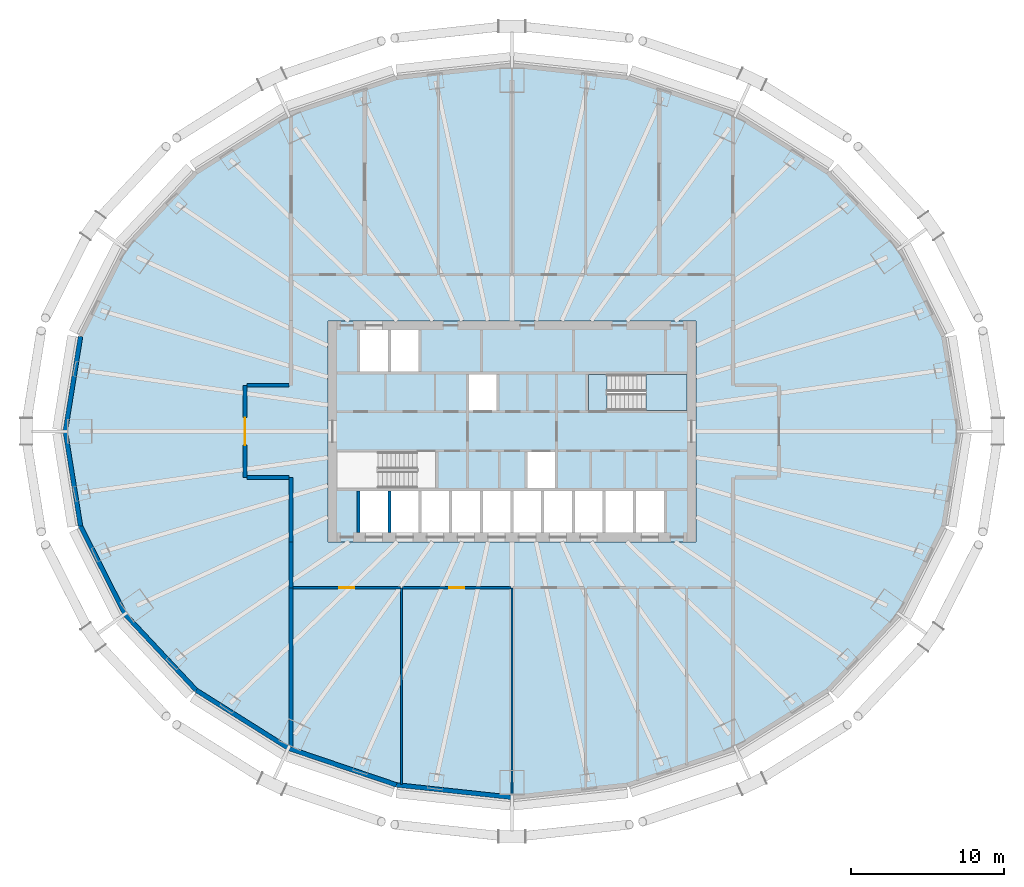
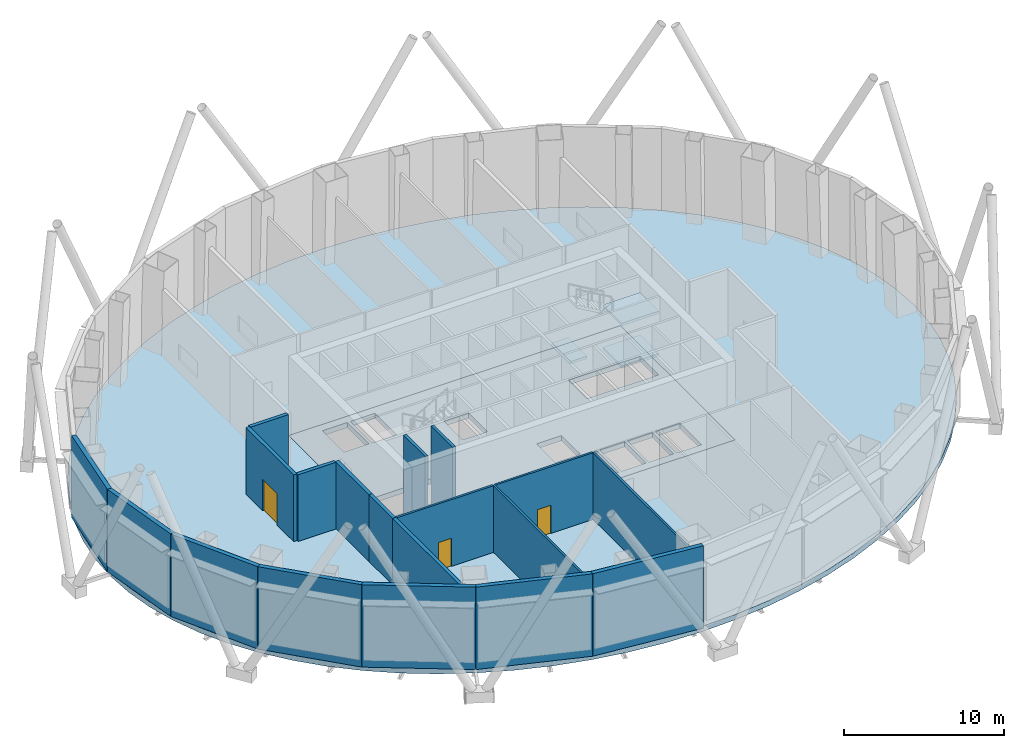
# One storey, part 3 of 13: 19 walls, 5 slabs, 3 doors, 3 openings, 1 element without a shape of its own.
"""IFC4 building model written with IfcOpenShell, lengths in metres."""

from ifc_helpers import new_model, si_unit, direction, frame, frame_2d, origin, place, context, subcontext, project, spatial, polyline, rectangle, outline, extrude, material, layer, layer_set, type_object, element, fill, aggregate, save


model = new_model("IFC4")

# Units and contexts
model_context = context("Model", 3, precision=1e-05, world=origin(), true_north=direction((0.0, 1.0)))
body_context = subcontext(model_context, "Body", "Model", "MODEL_VIEW")
ifc_project = project(units=[si_unit("LENGTHUNIT", "METRE"), si_unit("AREAUNIT", "SQUARE_METRE"), si_unit("VOLUMEUNIT", "CUBIC_METRE"), si_unit("PLANEANGLEUNIT", "RADIAN"), si_unit("MASSUNIT", "GRAM", prefix="KILO")], contexts=[model_context])

# Site, building, storey
site_placement = place(None, origin())
site = spatial("IfcSite", under=ifc_project, at=site_placement, CompositionType="ELEMENT")
building_placement = place(site_placement, origin())
building = spatial("IfcBuilding", under=site, at=building_placement, Name="Siaravel Broadcast Tower", CompositionType="ELEMENT")
storey_placement = place(building_placement, frame((0.0, 0.0, 7.0)))
storey = spatial("IfcBuildingStorey", under=building, at=storey_placement, Name="L01", CompositionType="ELEMENT", Elevation=7.0)

# Slabs
ifc_material_1 = material(Name="Concrete C40/50", Category="concrete")
ifc_layer_1 = layer(ifc_material_1, 0.39990234375)
ifc_layer_set_1 = layer_set([ifc_layer_1], Name="Concrete C40/50")
slab_type_1 = type_object("IfcSlabType", Name="Core floor slab 400", PredefinedType="FLOOR", material=ifc_layer_set_1)
slab_1_placement = place(storey_placement, frame((0.0, 0.0, -0.39990234375)))
element("IfcSlab", 1, at=slab_1_placement, inside=storey, type_object=slab_type_1, Name="L01 core floor", PredefinedType="FLOOR", context=body_context, shape_type="SweptSolid", body=[
    extrude(outline(polyline([(-12.0, -7.199951171875), (-12.0, 7.199951171875), (12.0, 7.199951171875), (12.0, -7.199951171875), (-12.0, -7.199951171875)]), holes=[polyline([(11.3994140625, 1.3505859375), (11.3994140625, 3.699462890625), (6.200439453125, 3.699462890625), (6.200439453125, 1.3505859375), (11.3994140625, 1.3505859375)]), polyline([(9.89990234375, -3.89990234375), (8.10009765625, -3.89990234375), (8.10009765625, -6.60009765625), (9.89990234375, -6.60009765625), (9.89990234375, -3.89990234375)]), polyline([(7.89990234375, -3.89990234375), (6.10009765625, -3.89990234375), (6.10009765625, -6.60009765625), (7.89990234375, -6.60009765625), (7.89990234375, -3.89990234375)]), polyline([(5.89990234375, -3.89990234375), (4.10009765625, -3.89990234375), (4.10009765625, -6.60009765625), (5.89990234375, -6.60009765625), (5.89990234375, -3.89990234375)]), polyline([(3.89990234375, -3.89990234375), (2.10009765625, -3.89990234375), (2.10009765625, -6.60009765625), (3.89990234375, -6.60009765625), (3.89990234375, -3.89990234375)]), polyline([(2.800048828125, -1.35009765625), (1.0, -1.35009765625), (1.0, -3.699951171875), (2.800048828125, -3.699951171875), (2.800048828125, -1.35009765625)]), polyline([(1.89990234375, -3.89990234375), (0.10009765625, -3.89990234375), (0.10009765625, -6.60009765625), (1.89990234375, -6.60009765625), (1.89990234375, -3.89990234375)]), polyline([(-0.10009765625, -3.89990234375), (-1.89990234375, -3.89990234375), (-1.89990234375, -6.60009765625), (-0.10009765625, -6.60009765625), (-0.10009765625, -3.89990234375)]), polyline([(-1.0, 3.699951171875), (-2.800048828125, 3.699951171875), (-2.800048828125, 1.35009765625), (-1.0, 1.35009765625), (-1.0, 3.699951171875)]), polyline([(-2.10009765625, -3.89990234375), (-3.89990234375, -3.89990234375), (-3.89990234375, -6.60009765625), (-2.10009765625, -6.60009765625), (-2.10009765625, -3.89990234375)]), polyline([(-4.10009765625, -3.89990234375), (-5.89990234375, -3.89990234375), (-5.89990234375, -6.60009765625), (-4.10009765625, -6.60009765625), (-4.10009765625, -3.89990234375)]), polyline([(-6.10009765625, -3.89990234375), (-7.89990234375, -3.89990234375), (-7.89990234375, -6.60009765625), (-6.10009765625, -6.60009765625), (-6.10009765625, -3.89990234375)]), polyline([(-6.10009765625, 6.60009765625), (-7.89990234375, 6.60009765625), (-7.89990234375, 3.89990234375), (-6.10009765625, 3.89990234375), (-6.10009765625, 6.60009765625)]), polyline([(-11.3994140625, -1.3505859375), (-11.3994140625, -3.699462890625), (-6.200439453125, -3.699462890625), (-6.200439453125, -1.3505859375), (-11.3994140625, -1.3505859375)]), polyline([(-8.10009765625, -3.89990234375), (-9.89990234375, -3.89990234375), (-9.89990234375, -6.60009765625), (-8.10009765625, -6.60009765625), (-8.10009765625, -3.89990234375)]), polyline([(-8.10009765625, 6.60009765625), (-9.89990234375, 6.60009765625), (-9.89990234375, 3.89990234375), (-8.10009765625, 3.89990234375), (-8.10009765625, 6.60009765625)])]), origin(), (0.0, 0.0, 1.0), 0.39990234375),
])
ifc_layer_2 = layer(ifc_material_1, 0.39990234375)
ifc_layer_set_2 = layer_set([ifc_layer_2], Name="Concrete C40/50")
slab_type_2 = type_object("IfcSlabType", Name="SLB-FLOOR-400", PredefinedType="FLOOR", material=ifc_layer_set_2)
slab_2_placement = place(storey_placement, frame((0.0, 0.0, -0.39990234375)))
element("IfcSlab", 2, at=slab_2_placement, inside=storey, type_object=slab_type_2, Name="Floor slab", PredefinedType="FLOOR", context=body_context, shape_type="SweptSolid", body=[
    extrude(outline(polyline([(29.074951171875, 0.0), (28.96435546875, 2.07568359375), (28.63330078125, 4.135498046875), (28.084228515625, 6.1640625), (27.321533203125, 8.1455078125), (26.350830078125, 10.06494140625), (25.1796875, 11.90771484375), (23.81689453125, 13.66015625), (22.272705078125, 15.308349609375), (20.55908203125, 16.840087890625), (18.68896484375, 18.243896484375), (16.6767578125, 19.5087890625), (14.53759765625, 20.625), (12.28759765625, 21.58447265625), (9.944091796875, 22.37939453125), (7.525146484375, 23.004150390625), (5.048828125, 23.453857421875), (2.5341796875, 23.72509765625), (0.0, 23.815673828125), (-2.5341796875, 23.72509765625), (-5.048828125, 23.453857421875), (-7.525146484375, 23.004150390625), (-9.944091796875, 22.37939453125), (-12.28759765625, 21.58447265625), (-14.53759765625, 20.625), (-16.6767578125, 19.5087890625), (-18.68896484375, 18.243896484375), (-20.55908203125, 16.840087890625), (-22.272705078125, 15.308349609375), (-23.81689453125, 13.66015625), (-25.1796875, 11.90771484375), (-26.350830078125, 10.06494140625), (-27.321533203125, 8.1455078125), (-28.084228515625, 6.1640625), (-28.63330078125, 4.135498046875), (-28.96435546875, 2.07568359375), (-29.074951171875, 0.0), (-28.96435546875, -2.07568359375), (-28.63330078125, -4.135498046875), (-28.084228515625, -6.1640625), (-27.321533203125, -8.1455078125), (-26.350830078125, -10.06494140625), (-25.1796875, -11.907958984375), (-23.81689453125, -13.66015625), (-22.272705078125, -15.308349609375), (-20.55908203125, -16.840087890625), (-18.68896484375, -18.243896484375), (-16.6767578125, -19.5087890625), (-14.53759765625, -20.625), (-12.28759765625, -21.58447265625), (-9.944091796875, -22.37939453125), (-7.525146484375, -23.004150390625), (-5.048828125, -23.453857421875), (-2.5341796875, -23.72509765625), (0.0, -23.815673828125), (2.5341796875, -23.72509765625), (5.048828125, -23.453857421875), (7.525146484375, -23.004150390625), (9.944091796875, -22.37939453125), (12.28759765625, -21.58447265625), (14.53759765625, -20.625), (16.6767578125, -19.5087890625), (18.68896484375, -18.243896484375), (20.55908203125, -16.840087890625), (22.272705078125, -15.308349609375), (23.81689453125, -13.66015625), (25.1796875, -11.907958984375), (26.350830078125, -10.06494140625), (27.321533203125, -8.1455078125), (28.084228515625, -6.1640625), (28.63330078125, -4.135498046875), (28.96435546875, -2.07568359375), (29.074951171875, 0.0)]), holes=[polyline([(-12.0, 7.199951171875), (12.0, 7.199951171875), (12.0, -7.199951171875), (-12.0, -7.199951171875), (-12.0, 7.199951171875)])]), origin(), (0.0, 0.0, 1.0), 0.39990234375),
])

# Stair, slabs
stair_type = type_object("IfcStairType", Name="Core exit stair", PredefinedType="HALF_TURN_STAIR", material=ifc_material_1)
stair_placement = place(storey_placement, origin())
stair = element("IfcStair", 3, at=stair_placement, inside=storey, type_object=stair_type, Name="L01 Exit stair ST-2", PredefinedType="HALF_TURN_STAIR")
ifc_layer_3 = layer(ifc_material_1, 0.199951171875)
ifc_layer_set_3 = layer_set([ifc_layer_3], Name="Concrete C40/50")
slab_type_3 = type_object("IfcSlabType", Name="Stair landing", PredefinedType="LANDING", material=ifc_layer_set_3)
slab_3_placement = place(storey_placement, frame((0.0, 0.0, 1.425048828125)))
slab_3 = element("IfcSlab", 4, at=slab_3_placement, type_object=slab_type_3, Name="ST-2 landing 1", PredefinedType="LANDING", context=body_context, shape_type="SweptSolid", body=[
    extrude(outline(polyline([(8.719970703125, 1.35009765625), (11.39990234375, 1.35009765625), (11.39990234375, 3.699951171875), (8.719970703125, 3.699951171875), (8.719970703125, 1.35009765625)])), origin(), (0.0, 0.0, 1.0), 0.199951171875),
])
slab_4_placement = place(storey_placement, frame((0.0, 0.0, 3.050048828125)))
slab_4 = element("IfcSlab", 5, at=slab_4_placement, type_object=slab_type_3, Name="ST-2 landing 2", PredefinedType="LANDING", context=body_context, shape_type="SweptSolid", body=[
    extrude(outline(polyline([(5.0, 1.35009765625), (6.199951171875, 1.35009765625), (6.199951171875, 3.699951171875), (5.0, 3.699951171875), (5.0, 1.35009765625)])), origin(), (0.0, 0.0, 1.0), 0.199951171875),
])
slab_5_placement = place(storey_placement, frame((0.0, 0.0, 4.675048828125)))
slab_5 = element("IfcSlab", 6, at=slab_5_placement, type_object=slab_type_3, Name="ST-2 landing 3", PredefinedType="LANDING", context=body_context, shape_type="SweptSolid", body=[
    extrude(outline(polyline([(8.719970703125, 1.35009765625), (11.39990234375, 1.35009765625), (11.39990234375, 3.699951171875), (8.719970703125, 3.699951171875), (8.719970703125, 1.35009765625)])), origin(), (0.0, 0.0, 1.0), 0.199951171875),
])
aggregate(stair, [slab_3, slab_4, slab_5])

# Walls
ifc_layer_4 = layer(ifc_material_1, 0.300048828125)
ifc_layer_set_4 = layer_set([ifc_layer_4], Name="Concrete C40/50")
wall_type_1 = type_object("IfcWallType", Name="Acoustic studio wall", PredefinedType="STANDARD", material=ifc_layer_set_4)
for number, where, z_axis, x_axis, name in (
    (7, (-28.1318359375, 6.179443359375, 0.0), (0.0, 0.0, 1.0), (-0.158684207, -0.987329389, 0.0), "L01 studio acoustic wall 12"),
    (8, (-29.125, 0.0, 0.0), (0.0, 0.0, 1.0), (0.158684207, -0.987329389, 0.0), "L01 studio acoustic wall 13"),
):
    element("IfcWall", number, at=place(storey_placement, frame(where, z_axis=z_axis, x_axis=x_axis)), inside=storey, type_object=wall_type_1, Name=name, PredefinedType="STANDARD", context=body_context, shape_type="SweptSolid", body=[
        extrude(rectangle(XDim=6.2587890625, YDim=0.300048828125, at=frame_2d((3.12939453125, 0.0))), origin(), (0.0, 0.0, 1.0), 6.300048828125),
    ])
wall_1_placement = place(storey_placement, frame((-28.1318359375, -6.179443359375, 0.0), z_axis=(0.0, 0.0, 1.0), x_axis=(0.45123552, -0.8924049, 0.0)))
element("IfcWall", 9, at=wall_1_placement, inside=storey, type_object=wall_type_1, Name="L01 studio acoustic wall 14", PredefinedType="STANDARD", context=body_context, shape_type="SweptSolid", body=[
    extrude(rectangle(XDim=6.451416015625, YDim=0.300048828125, at=frame_2d((3.2255859375, 0.0))), origin(), (0.0, 0.0, 1.0), 6.300048828125),
])
wall_2_placement = place(storey_placement, frame((-25.220703125, -11.936767578125, 0.0), z_axis=(0.0, 0.0, 1.0), x_axis=(0.683676058, -0.729785617, 0.0)))
element("IfcWall", 10, at=wall_2_placement, inside=storey, type_object=wall_type_1, Name="L01 studio acoustic wall 15", PredefinedType="STANDARD", context=body_context, shape_type="SweptSolid", body=[
    extrude(rectangle(XDim=6.77197265625, YDim=0.300048828125, at=frame_2d((3.385986328125, 0.0))), origin(), (0.0, 0.0, 1.0), 6.300048828125),
])
wall_3_placement = place(storey_placement, frame((-20.5908203125, -16.87890625, 0.0), z_axis=(0.0, 0.0, 1.0), x_axis=(0.846653753, -0.532144175, 0.0)))
element("IfcWall", 11, at=wall_3_placement, inside=storey, type_object=wall_type_1, Name="L01 studio acoustic wall 16", PredefinedType="STANDARD", context=body_context, shape_type="SweptSolid", body=[
    extrude(rectangle(XDim=7.12451171875, YDim=0.300048828125, at=frame_2d((3.562255859375, 0.0))), origin(), (0.0, 0.0, 1.0), 6.300048828125),
])
wall_4_placement = place(storey_placement, frame((-14.558837890625, -20.670166015625, 0.0), z_axis=(0.0, 0.0, 1.0), x_axis=(0.946977627, -0.321299508, 0.0)))
element("IfcWall", 12, at=wall_4_placement, inside=storey, type_object=wall_type_1, Name="L01 studio acoustic wall 17", PredefinedType="STANDARD", context=body_context, shape_type="SweptSolid", body=[
    extrude(rectangle(XDim=7.416259765625, YDim=0.300048828125, at=frame_2d((3.7080078125, 0.0))), origin(), (0.0, 0.0, 1.0), 6.300048828125),
])
wall_5_placement = place(storey_placement, frame((-7.535888671875, -23.052978515625, 0.0), z_axis=(0.0, 0.0, 1.0), x_axis=(0.994234458, -0.107227995, 0.0)))
element("IfcWall", 13, at=wall_5_placement, inside=storey, type_object=wall_type_1, Name="L01 studio acoustic wall 18", PredefinedType="STANDARD", context=body_context, shape_type="SweptSolid", body=[
    extrude(rectangle(XDim=7.57958984375, YDim=0.300048828125, at=frame_2d((3.789794921875, 0.0))), origin(), (0.0, 0.0, 1.0), 6.300048828125),
])

# Wall, opening, door
ifc_material_2 = material(Name="Gypsum board partition", Category="gypsum")
ifc_layer_5 = layer(ifc_material_2, 0.14990234375)
ifc_layer_set_5 = layer_set([ifc_layer_5], Name="Gypsum board partition")
wall_type_2 = type_object("IfcWallType", Name="Corridor wall 150", PredefinedType="PARTITIONING", material=ifc_layer_set_5)
wall_6_placement = place(storey_placement, frame((-14.27294921875, -10.199951171875, 0.0), z_axis=(0.0, 0.0, 1.0), x_axis=(1.0, 0.0, 0.0)))
wall_6 = element("IfcWall", 14, at=wall_6_placement, inside=storey, type_object=wall_type_2, Name="L01 partition 15", PredefinedType="PARTITIONING", context=body_context, shape_type="SweptSolid", body=[
    extrude(rectangle(XDim=6.995849609375, YDim=0.14990234375, at=frame_2d((3.498046875, 0.0))), origin(), (0.0, 0.0, 1.0), 5.10009765625),
])
opening_1_placement = place(wall_6_placement, frame((3.02294921875, 0.0, 0.0)))
opening_1 = element("IfcOpeningElement", 15, at=opening_1_placement, cuts=wall_6, Name="Opening L01-007", PredefinedType="OPENING", context=body_context, shape_type="SweptSolid", body=[
    extrude(rectangle(XDim=0.949951171875, YDim=2.14990234375, at=frame_2d((0.47509765625, 1.074951171875))), frame((0.0, 0.0849609375, 0.0), z_axis=(0.0, -1.0, 0.0), x_axis=(1.0, 0.0, 0.0)), (0.0, 0.0, 1.0), 0.169921875),
])
ifc_material_3 = material(Name="Timber veneer", Category="wood")
door_type_1 = type_object("IfcDoorType", Name="Office door 950", OperationType="SINGLE_SWING_LEFT", PredefinedType="DOOR", material=ifc_material_3)
door_1_placement = place(opening_1_placement, origin())
door_1 = element("IfcDoor", 16, at=door_1_placement, inside=storey, type_object=door_type_1, Name="L01 door to Scenery workshop", OperationType="SINGLE_SWING_LEFT", OverallHeight=2.14990234375, OverallWidth=0.949951171875, PredefinedType="DOOR", context=body_context, shape_type="SweptSolid", body=[
    extrude(rectangle(XDim=0.949951171875, YDim=2.14990234375, at=frame_2d((0.47509765625, 1.074951171875))), frame((0.0, 0.02490234375, 0.0), z_axis=(0.0, -1.0, 0.0), x_axis=(1.0, 0.0, 0.0)), (0.0, 0.0, 1.0), 0.050048828125),
])
fill(opening_1, door_1)

wall_7_placement = place(storey_placement, frame((-7.123046875, -10.199951171875, 0.0), z_axis=(0.0, 0.0, 1.0), x_axis=(1.0, 0.0, 0.0)))
wall_7 = element("IfcWall", 17, at=wall_7_placement, inside=storey, type_object=wall_type_2, Name="L01 partition 16", PredefinedType="PARTITIONING", context=body_context, shape_type="SweptSolid", body=[
    extrude(rectangle(XDim=7.046142578125, YDim=0.14990234375, at=frame_2d((3.52294921875, 0.0))), origin(), (0.0, 0.0, 1.0), 5.10009765625),
])
opening_2_placement = place(wall_7_placement, frame((3.048095703125, 0.0, 0.0)))
opening_2 = element("IfcOpeningElement", 18, at=opening_2_placement, cuts=wall_7, Name="Opening L01-008", PredefinedType="OPENING", context=body_context, shape_type="SweptSolid", body=[
    extrude(rectangle(XDim=0.949951171875, YDim=2.14990234375, at=frame_2d((0.47509765625, 1.074951171875))), frame((0.0, 0.0849609375, 0.0), z_axis=(0.0, -1.0, 0.0), x_axis=(1.0, 0.0, 0.0)), (0.0, 0.0, 1.0), 0.169921875),
])
door_2_placement = place(opening_2_placement, origin())
door_2 = element("IfcDoor", 19, at=door_2_placement, inside=storey, type_object=door_type_1, Name="L01 door to Scenery workshop", OperationType="SINGLE_SWING_RIGHT", OverallHeight=2.14990234375, OverallWidth=0.949951171875, PredefinedType="DOOR", context=body_context, shape_type="SweptSolid", body=[
    extrude(rectangle(XDim=0.949951171875, YDim=2.14990234375, at=frame_2d((0.47509765625, 1.074951171875))), frame((0.0, 0.02490234375, 0.0), z_axis=(0.0, -1.0, 0.0), x_axis=(1.0, 0.0, 0.0)), (0.0, 0.0, 1.0), 0.050048828125),
])
fill(opening_2, door_2)

# Walls
ifc_layer_6 = layer(ifc_material_2, 0.14990234375)
ifc_layer_set_6 = layer_set([ifc_layer_6], Name="Gypsum board partition")
wall_type_3 = type_object("IfcWallType", Name="Room partition 150", PredefinedType="PARTITIONING", material=ifc_layer_set_6)
wall_8_placement = place(storey_placement, frame((0.0, -23.815673828125, 0.0), z_axis=(0.0, 0.0, 1.0), x_axis=(0.0, 1.0, 0.0)))
element("IfcWall", 20, at=wall_8_placement, inside=storey, type_object=wall_type_3, Name="L01 partition 1", PredefinedType="PARTITIONING", context=body_context, shape_type="SweptSolid", body=[
    extrude(rectangle(XDim=13.61572265625, YDim=0.14990234375, at=frame_2d((6.807861328125, 0.0))), origin(), (0.0, 0.0, 1.0), 5.10009765625),
])
wall_9_placement = place(storey_placement, frame((-7.199951171875, -23.039306640625, 0.0), z_axis=(0.0, 0.0, 1.0), x_axis=(0.0, 1.0, 0.0)))
element("IfcWall", 21, at=wall_9_placement, inside=storey, type_object=wall_type_3, Name="L01 partition 6", PredefinedType="PARTITIONING", context=body_context, shape_type="SweptSolid", body=[
    extrude(rectangle(XDim=12.83935546875, YDim=0.14990234375, at=frame_2d((6.419677734375, 0.0))), origin(), (0.0, 0.0, 1.0), 5.10009765625),
])
ifc_material_4 = material(Name="Concrete C60/75", Category="concrete")
ifc_layer_7 = layer(ifc_material_4, 0.199951171875)
ifc_layer_set_7 = layer_set([ifc_layer_7], Name="Concrete C60/75")
wall_type_4 = type_object("IfcWallType", Name="Shaft wall 200", PredefinedType="SHEAR", material=ifc_layer_set_7)
for number, where, z_axis, x_axis, name in (
    (22, (-10.0, -6.60009765625, 0.0), (0.0, 0.0, 1.0), (0.0, 1.0, 0.0), "L01 core wall SWS0"),
    (23, (-8.0, -6.60009765625, 0.0), (0.0, 0.0, 1.0), (0.0, 1.0, 0.0), "L01 core wall SWS1"),
):
    element("IfcWall", number, at=place(storey_placement, frame(where, z_axis=z_axis, x_axis=x_axis)), inside=storey, type_object=wall_type_4, Name=name, PredefinedType="SHEAR", context=body_context, shape_type="SweptSolid", body=[
        extrude(rectangle(XDim=2.7001953125, YDim=0.199951171875, at=frame_2d((1.35009765625, 0.0))), origin(), (0.0, 0.0, 1.0), 6.10009765625),
    ])
ifc_material_5 = material(Name="Concrete blockwork", Category="masonry")
ifc_layer_8 = layer(ifc_material_5, 0.25)
ifc_layer_set_8 = layer_set([ifc_layer_8], Name="Concrete blockwork")
wall_type_5 = type_object("IfcWallType", Name="Studio wall 250", PredefinedType="PARTITIONING", material=ifc_layer_set_8)
wall_10_placement = place(storey_placement, frame((-14.39990234375, -20.674072265625, 0.0), z_axis=(0.0, 0.0, 1.0), x_axis=(0.0, 1.0, 0.0)))
element("IfcWall", 24, at=wall_10_placement, inside=storey, type_object=wall_type_5, Name="L01 partition 11", PredefinedType="PARTITIONING", context=body_context, shape_type="SweptSolid", body=[
    extrude(rectangle(XDim=10.47412109375, YDim=0.25, at=frame_2d((5.237060546875, 0.0))), origin(), (0.0, 0.0, 1.0), 5.10009765625),
])

# Wall, opening, door
wall_11_placement = place(storey_placement, frame((-17.39990234375, 3.0, 0.0), z_axis=(0.0, 0.0, 1.0), x_axis=(0.0, -1.0, 0.0)))
wall_11 = element("IfcWall", 25, at=wall_11_placement, inside=storey, type_object=wall_type_5, Name="L01 partition 17", PredefinedType="PARTITIONING", context=body_context, shape_type="SweptSolid", body=[
    extrude(rectangle(XDim=6.0, YDim=0.25, at=frame_2d((3.0, 0.0))), origin(), (0.0, 0.0, 1.0), 5.10009765625),
])
opening_3_placement = place(wall_11_placement, frame((2.10009765625, 0.0, 0.0)))
opening_3 = element("IfcOpeningElement", 26, at=opening_3_placement, cuts=wall_11, Name="Opening L01-013", PredefinedType="OPENING", context=body_context, shape_type="SweptSolid", body=[
    extrude(rectangle(XDim=1.800048828125, YDim=2.39990234375, at=frame_2d((0.89990234375, 1.199951171875))), frame((0.0, 0.135009765625, 0.0), z_axis=(0.0, -1.0, 0.0), x_axis=(1.0, 0.0, 0.0)), (0.0, 0.0, 1.0), 0.27001953125),
])
ifc_material_6 = material(Name="Acoustic timber and steel", Category="steel")
door_type_2 = type_object("IfcDoorType", Name="Studio sound door 1800", OperationType="DOUBLE_DOOR_SINGLE_SWING", PredefinedType="DOOR", material=ifc_material_6)
door_3_placement = place(opening_3_placement, origin())
door_3 = element("IfcDoor", 27, at=door_3_placement, inside=storey, type_object=door_type_2, Name="L01 door to Studio A", OperationType="DOUBLE_DOOR_SINGLE_SWING", OverallHeight=2.39990234375, OverallWidth=1.800048828125, PredefinedType="DOOR", context=body_context, shape_type="SweptSolid", body=[
    extrude(rectangle(XDim=1.800048828125, YDim=2.39990234375, at=frame_2d((0.89990234375, 1.199951171875))), frame((0.0, 0.02490234375, 0.0), z_axis=(0.0, -1.0, 0.0), x_axis=(1.0, 0.0, 0.0)), (0.0, 0.0, 1.0), 0.050048828125),
])
fill(opening_3, door_3)

# Walls
wall_12_placement = place(storey_placement, frame((-14.39990234375, -3.0, 0.0), z_axis=(0.0, 0.0, 1.0), x_axis=(0.0, -1.0, 0.0)))
element("IfcWall", 28, at=wall_12_placement, inside=storey, type_object=wall_type_5, Name="L01 partition 26", PredefinedType="PARTITIONING", context=body_context, shape_type="SweptSolid", body=[
    extrude(rectangle(XDim=4.2119140625, YDim=0.25, at=frame_2d((2.10595703125, 0.0))), origin(), (0.0, 0.0, 1.0), 5.10009765625),
])
wall_13_placement = place(storey_placement, frame((-14.39990234375, -7.212890625, 0.0), z_axis=(0.0, 0.0, 1.0), x_axis=(0.0, -1.0, 0.0)))
element("IfcWall", 29, at=wall_13_placement, inside=storey, type_object=wall_type_5, Name="L01 partition 32", PredefinedType="PARTITIONING", context=body_context, shape_type="SweptSolid", body=[
    extrude(rectangle(XDim=2.986083984375, YDim=0.25, at=frame_2d((1.4931640625, 0.0))), origin(), (0.0, 0.0, 1.0), 5.10009765625),
])
for number, where, z_axis, x_axis, name in (
    (30, (-17.27294921875, -3.0, 0.0), (0.0, 0.0, 1.0), (1.0, 0.0, 0.0), "L01 partition 37"),
    (31, (-14.527099609375, 3.0, 0.0), (0.0, 0.0, 1.0), (-1.0, 0.0, 0.0), "L01 partition 38"),
):
    element("IfcWall", number, at=place(storey_placement, frame(where, z_axis=z_axis, x_axis=x_axis)), inside=storey, type_object=wall_type_5, Name=name, PredefinedType="PARTITIONING", context=body_context, shape_type="SweptSolid", body=[
        extrude(rectangle(XDim=2.745849609375, YDim=0.25, at=frame_2d((1.373046875, 0.0))), origin(), (0.0, 0.0, 1.0), 5.10009765625),
    ])

save(model, "model.ifc")
